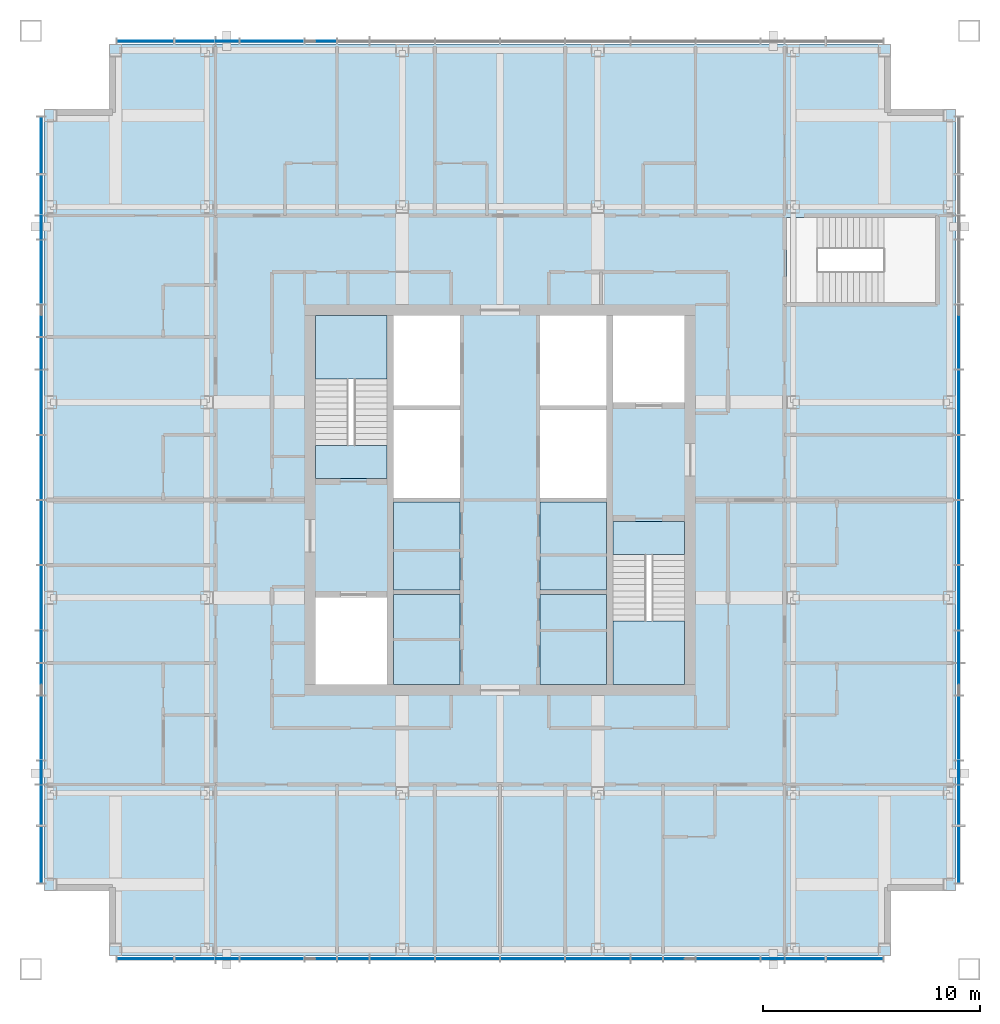
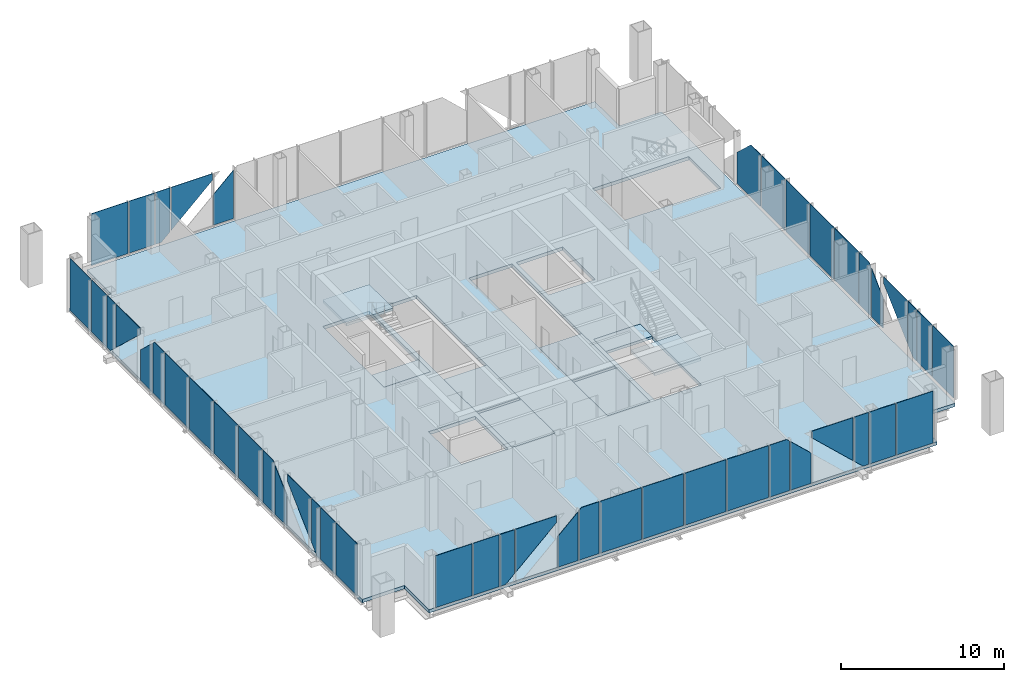
# One storey, part 6 of 14: 48 plates, 9 slabs, 6 elements without a shape of their own.
"""IFC4 building model written with IfcOpenShell, lengths in metres."""

from ifc_helpers import new_model, si_unit, direction, frame, origin, origin_2d, place, context, subcontext, project, spatial, polyline, rectangle, outline, extrude, material, layer, layer_set, type_object, element, aggregate, save


model = new_model("IFC4")

# Units and contexts
model_context = context("Model", 3, precision=1e-05, world=origin(), true_north=direction((0.0, 1.0)))
body_context = subcontext(model_context, "Body", "Model", "MODEL_VIEW")
ifc_project = project(units=[si_unit("LENGTHUNIT", "METRE"), si_unit("AREAUNIT", "SQUARE_METRE"), si_unit("VOLUMEUNIT", "CUBIC_METRE"), si_unit("PLANEANGLEUNIT", "RADIAN"), si_unit("MASSUNIT", "GRAM", prefix="KILO")], contexts=[model_context])

# Site, building, storey
site_placement = place(None, origin())
site = spatial("IfcSite", under=ifc_project, at=site_placement, CompositionType="ELEMENT")
building_placement = place(site_placement, origin())
building = spatial("IfcBuilding", under=site, at=building_placement, Name="Malebo Sky Hospital", CompositionType="ELEMENT")
storey_placement = place(building_placement, frame((0.0, 0.0, 258.0)))
storey = spatial("IfcBuildingStorey", under=building, at=storey_placement, Name="L62", CompositionType="ELEMENT", Elevation=258.0)

# Slabs
ifc_material_1 = material(Name="Concrete C40/50", Category="concrete")
ifc_layer_1 = layer(ifc_material_1, 0.25)
ifc_layer_set_1 = layer_set([ifc_layer_1], Name="COMPOSITE FLOOR SLAB 250")
slab_type_1 = type_object("IfcSlabType", Name="COMPOSITE FLOOR SLAB 250", PredefinedType="FLOOR", material=ifc_layer_set_1)
slab_1_placement = place(storey_placement, frame((0.0, 0.0, -0.25)))
element("IfcSlab", 1, at=slab_1_placement, inside=storey, type_object=slab_type_1, Name="Floor slab L62", PredefinedType="FLOOR", context=body_context, shape_type="SweptSolid", body=[
    extrude(outline(polyline([(42.0, 83.0), (42.0, 80.0), (39.0, 80.0), (39.0, 44.0), (42.0, 44.0), (42.0, 41.0), (78.0, 41.0), (78.0, 44.0), (81.0, 44.0), (81.0, 80.0), (78.0, 80.0), (78.0, 83.0), (42.0, 83.0)]), holes=[polyline([(55.10009765625, 70.5), (58.14990234375, 70.5), (58.14990234375, 53.5), (55.10009765625, 53.5), (55.10009765625, 70.5)]), polyline([(64.89990234375, 70.5), (64.89990234375, 53.5), (61.85009765625, 53.5), (61.85009765625, 70.5), (64.89990234375, 70.5)]), polyline([(54.800048828125, 63.0), (51.5, 63.0), (51.5, 70.5), (54.800048828125, 70.5), (54.800048828125, 63.0)]), polyline([(51.5, 53.5), (51.5, 57.5), (54.800048828125, 57.5), (54.800048828125, 53.5), (51.5, 53.5)]), polyline([(65.199951171875, 61.0), (68.5, 61.0), (68.5, 53.5), (65.199951171875, 53.5), (65.199951171875, 61.0)]), polyline([(68.5, 70.5), (68.5, 66.5), (65.199951171875, 66.5), (65.199951171875, 70.5), (68.5, 70.5)]), polyline([(80.050048828125, 71.10009765625), (73.199951171875, 71.10009765625), (73.199951171875, 75.0), (80.050048828125, 75.0), (80.050048828125, 71.10009765625)])]), origin(), (0.0, 0.0, 1.0), 0.25),
])
ifc_layer_2 = layer(ifc_material_1, 0.25)
ifc_layer_set_2 = layer_set([ifc_layer_2], Name="SHAFT INFILL SLAB 250")
slab_type_2 = type_object("IfcSlabType", Name="SHAFT INFILL SLAB 250", PredefinedType="FLOOR", material=ifc_layer_set_2)
slab_2_placement = place(storey_placement, frame((0.0, 0.0, -0.25)))
element("IfcSlab", 2, at=slab_2_placement, inside=storey, type_object=slab_type_2, Name="Shaft infill slab W1 L62", PredefinedType="FLOOR", context=body_context, shape_type="SweptSolid", body=[
    extrude(outline(polyline([(55.10009765625, 53.5), (58.14990234375, 53.5), (58.14990234375, 57.64990234375), (55.10009765625, 57.64990234375), (55.10009765625, 53.5)])), origin(), (0.0, 0.0, 1.0), 0.25),
])
slab_3_placement = place(storey_placement, frame((0.0, 0.0, -0.25)))
element("IfcSlab", 3, at=slab_3_placement, inside=storey, type_object=slab_type_2, Name="Shaft infill slab W2 L62", PredefinedType="FLOOR", context=body_context, shape_type="SweptSolid", body=[
    extrude(outline(polyline([(55.10009765625, 57.85009765625), (58.14990234375, 57.85009765625), (58.14990234375, 61.89990234375), (55.10009765625, 61.89990234375), (55.10009765625, 57.85009765625)])), origin(), (0.0, 0.0, 1.0), 0.25),
])
slab_4_placement = place(storey_placement, frame((0.0, 0.0, -0.25)))
element("IfcSlab", 4, at=slab_4_placement, inside=storey, type_object=slab_type_2, Name="Shaft infill slab E1 L62", PredefinedType="FLOOR", context=body_context, shape_type="SweptSolid", body=[
    extrude(outline(polyline([(61.85009765625, 53.5), (64.89990234375, 53.5), (64.89990234375, 57.64990234375), (61.85009765625, 57.64990234375), (61.85009765625, 53.5)])), origin(), (0.0, 0.0, 1.0), 0.25),
])
slab_5_placement = place(storey_placement, frame((0.0, 0.0, -0.25)))
element("IfcSlab", 5, at=slab_5_placement, inside=storey, type_object=slab_type_2, Name="Shaft infill slab E2 L62", PredefinedType="FLOOR", context=body_context, shape_type="SweptSolid", body=[
    extrude(outline(polyline([(61.85009765625, 57.85009765625), (64.89990234375, 57.85009765625), (64.89990234375, 61.89990234375), (61.85009765625, 61.89990234375), (61.85009765625, 57.85009765625)])), origin(), (0.0, 0.0, 1.0), 0.25),
])

# Stair, slabs
stair_type = type_object("IfcStairType", Name="HALF-TURN STAIR 1500 R167", PredefinedType="HALF_TURN_STAIR", material=ifc_material_1)
stair_1_placement = place(storey_placement, origin())
stair_1 = element("IfcStair", 6, at=stair_1_placement, inside=storey, type_object=stair_type, Name="Stair S1 L62 type ST1", PredefinedType="HALF_TURN_STAIR")
ifc_layer_3 = layer(ifc_material_1, 0.199951171875)
ifc_layer_set_3 = layer_set([ifc_layer_3], Name="STAIR LANDING 200")
slab_type_3 = type_object("IfcSlabType", Name="STAIR LANDING 200", PredefinedType="LANDING", material=ifc_layer_set_3)
slab_6_placement = place(storey_placement, frame((0.0, 0.0, -0.199951171875)))
slab_6 = element("IfcSlab", 7, at=slab_6_placement, type_object=slab_type_3, Name="S1 landing 1", PredefinedType="LANDING", context=body_context, shape_type="SweptSolid", body=[
    extrude(outline(polyline([(51.5, 63.0), (54.800048828125, 63.0), (54.800048828125, 64.5), (51.5, 64.5), (51.5, 63.0)])), origin(), (0.0, 0.0, 1.0), 0.199951171875),
])
slab_7_placement = place(storey_placement, frame((0.0, 0.0, 1.800048828125)))
slab_7 = element("IfcSlab", 8, at=slab_7_placement, type_object=slab_type_3, Name="S1 landing 2", PredefinedType="LANDING", context=body_context, shape_type="SweptSolid", body=[
    extrude(outline(polyline([(51.5, 67.580078125), (54.800048828125, 67.580078125), (54.800048828125, 70.5), (51.5, 70.5), (51.5, 67.580078125)])), origin(), (0.0, 0.0, 1.0), 0.199951171875),
])
aggregate(stair_1, [slab_6, slab_7])

stair_2_placement = place(storey_placement, origin())
stair_2 = element("IfcStair", 9, at=stair_2_placement, inside=storey, type_object=stair_type, Name="Stair S2 L62 type ST1", PredefinedType="HALF_TURN_STAIR")
slab_8_placement = place(storey_placement, frame((0.0, 0.0, -0.199951171875)))
slab_8 = element("IfcSlab", 10, at=slab_8_placement, type_object=slab_type_3, Name="S2 landing 1", PredefinedType="LANDING", context=body_context, shape_type="SweptSolid", body=[
    extrude(outline(polyline([(65.199951171875, 59.5), (68.5, 59.5), (68.5, 61.0), (65.199951171875, 61.0), (65.199951171875, 59.5)])), origin(), (0.0, 0.0, 1.0), 0.199951171875),
])
slab_9_placement = place(storey_placement, frame((0.0, 0.0, 1.800048828125)))
slab_9 = element("IfcSlab", 11, at=slab_9_placement, type_object=slab_type_3, Name="S2 landing 2", PredefinedType="LANDING", context=body_context, shape_type="SweptSolid", body=[
    extrude(outline(polyline([(65.199951171875, 53.5), (68.5, 53.5), (68.5, 56.419921875), (65.199951171875, 56.419921875), (65.199951171875, 53.5)])), origin(), (0.0, 0.0, 1.0), 0.199951171875),
])
aggregate(stair_2, [slab_8, slab_9])

# Curtain wall, plates
ifc_material_2 = material(Name="Anodised aluminium, natural silver", Category="aluminium")
ifc_layer_4 = layer(ifc_material_2, 0.25)
ifc_layer_set_4 = layer_set([ifc_layer_4], Name="WARD CURTAIN WALL NORTH AND SOUTH")
curtain_wall_type_1 = type_object("IfcCurtainWallType", Name="WARD CURTAIN WALL NORTH AND SOUTH", PredefinedType="NOTDEFINED", material=ifc_layer_set_4)
curtain_wall_1_placement = place(storey_placement, origin())
curtain_wall_1 = element("IfcCurtainWall", 12, at=curtain_wall_1_placement, inside=storey, type_object=curtain_wall_type_1, Name="NS curtain wall N", PredefinedType="NOTDEFINED")
ifc_material_3 = material(Name="Clear low-iron double glazing", Category="glass")
ifc_layer_5 = layer(ifc_material_3, 0.031982421875)
ifc_layer_set_5 = layer_set([ifc_layer_5], Name="VISION PANEL CLEAR 32")
plate_type = type_object("IfcPlateType", Name="VISION PANEL CLEAR 32", PredefinedType="CURTAIN_PANEL", material=ifc_layer_set_5)
plate_1_placement = place(storey_placement, frame((43.668701171875, 83.125, 0.10009765625), z_axis=(0.0, 0.0, 1.0), x_axis=(1.0, 0.0, 0.0)))
plate_1 = element("IfcPlate", 13, at=plate_1_placement, type_object=plate_type, Name="Panel 1", PredefinedType="CURTAIN_PANEL", context=body_context, shape_type="SweptSolid", body=[
    extrude(rectangle(XDim=2.58740234375, YDim=0.031982421875, at=origin_2d()), origin(), (0.0, 0.0, 1.0), 3.889892578125),
])
plate_2_placement = place(storey_placement, frame((45.949951171875, 83.125, 0.10009765625), z_axis=(0.0, 0.0, 1.0), x_axis=(1.0, 0.0, 0.0)))
plate_2 = element("IfcPlate", 14, at=plate_2_placement, type_object=plate_type, Name="Panel 2", PredefinedType="CURTAIN_PANEL", context=body_context, shape_type="SweptSolid", body=[
    extrude(rectangle(XDim=1.824951171875, YDim=0.031982421875, at=origin_2d()), origin(), (0.0, 0.0, 1.0), 3.889892578125),
])
plate_3_placement = place(storey_placement, frame((47.449951171875, 83.125, 0.10009765625), z_axis=(0.0, 0.0, 1.0), x_axis=(1.0, 0.0, 0.0)))
plate_3 = element("IfcPlate", 15, at=plate_3_placement, type_object=plate_type, Name="Panel 3", PredefinedType="CURTAIN_PANEL", context=body_context, shape_type="SweptSolid", body=[
    extrude(outline(polyline([(-0.512451171875, 0.0), (-0.114013671875, 0.0), (0.512451171875, 0.586669921875), (0.512451171875, 3.889892578125), (-0.512451171875, 3.889892578125), (-0.512451171875, 0.0)])), frame((0.0, 0.01611328125, 0.0), z_axis=(0.0, -1.0, 0.0), x_axis=(1.0, 0.0, 0.0)), (0.0, 0.0, 1.0), 0.031982421875),
])
plate_4_placement = place(storey_placement, frame((49.5, 83.125, 0.7568359375), z_axis=(0.0, 0.0, 1.0), x_axis=(1.0, 0.0, 0.0)))
plate_4 = element("IfcPlate", 16, at=plate_4_placement, type_object=plate_type, Name="Panel 4", PredefinedType="CURTAIN_PANEL", context=body_context, shape_type="SweptSolid", body=[
    extrude(outline(polyline([(-1.46240234375, 0.0), (1.46240234375, 2.73876953125), (1.46240234375, 3.233154296875), (-1.46240234375, 3.233154296875), (-1.46240234375, 0.0)])), frame((0.0, 0.01611328125, 0.0), z_axis=(0.0, -1.0, 0.0), x_axis=(1.0, 0.0, 0.0)), (0.0, 0.0, 1.0), 0.031982421875),
])
plate_5_placement = place(storey_placement, frame((51.75, 83.125, 0.10009765625), z_axis=(0.0, 0.0, 1.0), x_axis=(1.0, 0.0, 0.0)))
plate_5 = element("IfcPlate", 17, at=plate_5_placement, type_object=plate_type, Name="Panel 5", PredefinedType="CURTAIN_PANEL", context=body_context, shape_type="SweptSolid", body=[
    extrude(outline(polyline([(-0.71240234375, 0.0), (0.71240234375, 0.0), (0.71240234375, 3.634521484375), (-0.71240234375, 2.300048828125), (-0.71240234375, 0.0)])), frame((0.0, 0.01611328125, 0.0), z_axis=(0.0, -1.0, 0.0), x_axis=(1.0, 0.0, 0.0)), (0.0, 0.0, 1.0), 0.031982421875),
])
aggregate(curtain_wall_1, [plate_1, plate_2, plate_3, plate_4, plate_5])

ifc_layer_6 = layer(ifc_material_2, 0.25)
ifc_layer_set_6 = layer_set([ifc_layer_6], Name="WARD CURTAIN WALL EAST AND WEST")
curtain_wall_type_2 = type_object("IfcCurtainWallType", Name="WARD CURTAIN WALL EAST AND WEST", PredefinedType="NOTDEFINED", material=ifc_layer_set_6)
curtain_wall_2_placement = place(storey_placement, origin())
curtain_wall_2 = element("IfcCurtainWall", 18, at=curtain_wall_2_placement, inside=storey, type_object=curtain_wall_type_2, Name="EW curtain wall W", PredefinedType="NOTDEFINED")
plate_6_placement = place(storey_placement, frame((38.875, 45.668701171875, 0.10009765625), z_axis=(0.0, 0.0, 1.0), x_axis=(0.0, 1.0, 0.0)))
plate_6 = element("IfcPlate", 19, at=plate_6_placement, type_object=plate_type, Name="Panel 1", PredefinedType="CURTAIN_PANEL", context=body_context, shape_type="SweptSolid", body=[
    extrude(rectangle(XDim=2.58740234375, YDim=0.031982421875, at=origin_2d()), origin(), (0.0, 0.0, 1.0), 3.889892578125),
])
plate_7_placement = place(storey_placement, frame((38.875, 47.949951171875, 0.10009765625), z_axis=(0.0, 0.0, 1.0), x_axis=(0.0, 1.0, 0.0)))
plate_7 = element("IfcPlate", 20, at=plate_7_placement, type_object=plate_type, Name="Panel 2", PredefinedType="CURTAIN_PANEL", context=body_context, shape_type="SweptSolid", body=[
    extrude(rectangle(XDim=1.824951171875, YDim=0.031982421875, at=origin_2d()), origin(), (0.0, 0.0, 1.0), 3.889892578125),
])
plate_8_placement = place(storey_placement, frame((38.875, 49.449951171875, 0.10009765625), z_axis=(0.0, 0.0, 1.0), x_axis=(0.0, 1.0, 0.0)))
plate_8 = element("IfcPlate", 21, at=plate_8_placement, type_object=plate_type, Name="Panel 3", PredefinedType="CURTAIN_PANEL", context=body_context, shape_type="SweptSolid", body=[
    extrude(outline(polyline([(-0.512451171875, 0.0), (-0.114013671875, 0.0), (0.512451171875, 0.586669921875), (0.512451171875, 3.889892578125), (-0.512451171875, 3.889892578125), (-0.512451171875, 0.0)])), frame((0.0, 0.01611328125, 0.0), z_axis=(0.0, -1.0, 0.0), x_axis=(1.0, 0.0, 0.0)), (0.0, 0.0, 1.0), 0.031982421875),
])
plate_9_placement = place(storey_placement, frame((38.875, 51.5, 0.7568359375), z_axis=(0.0, 0.0, 1.0), x_axis=(0.0, 1.0, 0.0)))
plate_9 = element("IfcPlate", 22, at=plate_9_placement, type_object=plate_type, Name="Panel 4", PredefinedType="CURTAIN_PANEL", context=body_context, shape_type="SweptSolid", body=[
    extrude(outline(polyline([(-1.46240234375, 0.0), (1.46240234375, 2.73876953125), (1.46240234375, 3.233154296875), (-1.46240234375, 3.233154296875), (-1.46240234375, 0.0)])), frame((0.0, 0.01611328125, 0.0), z_axis=(0.0, -1.0, 0.0), x_axis=(1.0, 0.0, 0.0)), (0.0, 0.0, 1.0), 0.031982421875),
])
plate_10_placement = place(storey_placement, frame((38.875, 53.75, 0.10009765625), z_axis=(0.0, 0.0, 1.0), x_axis=(0.0, 1.0, 0.0)))
plate_10 = element("IfcPlate", 23, at=plate_10_placement, type_object=plate_type, Name="Panel 5", PredefinedType="CURTAIN_PANEL", context=body_context, shape_type="SweptSolid", body=[
    extrude(outline(polyline([(-0.71240234375, 0.0), (0.71240234375, 0.0), (0.71240234375, 3.634521484375), (-0.71240234375, 2.300048828125), (-0.71240234375, 0.0)])), frame((0.0, 0.01611328125, 0.0), z_axis=(0.0, -1.0, 0.0), x_axis=(1.0, 0.0, 0.0)), (0.0, 0.0, 1.0), 0.031982421875),
])
plate_11_placement = place(storey_placement, frame((38.875, 55.25, 0.10009765625), z_axis=(0.0, 0.0, 1.0), x_axis=(0.0, 1.0, 0.0)))
plate_11 = element("IfcPlate", 24, at=plate_11_placement, type_object=plate_type, Name="Panel 6", PredefinedType="CURTAIN_PANEL", context=body_context, shape_type="SweptSolid", body=[
    extrude(outline(polyline([(-0.71240234375, 0.0), (0.71240234375, 0.0), (0.71240234375, 3.889892578125), (-0.514404296875, 3.889892578125), (-0.71240234375, 3.70458984375), (-0.71240234375, 0.0)])), frame((0.0, 0.01611328125, 0.0), z_axis=(0.0, -1.0, 0.0), x_axis=(1.0, 0.0, 0.0)), (0.0, 0.0, 1.0), 0.031982421875),
])
plate_12_placement = place(storey_placement, frame((38.875, 57.5, 0.10009765625), z_axis=(0.0, 0.0, 1.0), x_axis=(0.0, 1.0, 0.0)))
plate_12 = element("IfcPlate", 25, at=plate_12_placement, type_object=plate_type, Name="Panel 7", PredefinedType="CURTAIN_PANEL", context=body_context, shape_type="SweptSolid", body=[
    extrude(rectangle(XDim=2.925048828125, YDim=0.031982421875, at=origin_2d()), origin(), (0.0, 0.0, 1.0), 3.889892578125),
])
plate_13_placement = place(storey_placement, frame((38.875, 60.5, 0.10009765625), z_axis=(0.0, 0.0, 1.0), x_axis=(0.0, 1.0, 0.0)))
plate_13 = element("IfcPlate", 26, at=plate_13_placement, type_object=plate_type, Name="Panel 8", PredefinedType="CURTAIN_PANEL", context=body_context, shape_type="SweptSolid", body=[
    extrude(rectangle(XDim=2.925048828125, YDim=0.031982421875, at=origin_2d()), origin(), (0.0, 0.0, 1.0), 3.889892578125),
])
plate_14_placement = place(storey_placement, frame((38.875, 63.5, 0.10009765625), z_axis=(0.0, 0.0, 1.0), x_axis=(0.0, 1.0, 0.0)))
plate_14 = element("IfcPlate", 27, at=plate_14_placement, type_object=plate_type, Name="Panel 9", PredefinedType="CURTAIN_PANEL", context=body_context, shape_type="SweptSolid", body=[
    extrude(rectangle(XDim=2.925048828125, YDim=0.031982421875, at=origin_2d()), origin(), (0.0, 0.0, 1.0), 3.889892578125),
])
plate_15_placement = place(storey_placement, frame((38.875, 66.5, 0.10009765625), z_axis=(0.0, 0.0, 1.0), x_axis=(0.0, 1.0, 0.0)))
plate_15 = element("IfcPlate", 28, at=plate_15_placement, type_object=plate_type, Name="Panel 10", PredefinedType="CURTAIN_PANEL", context=body_context, shape_type="SweptSolid", body=[
    extrude(rectangle(XDim=2.925048828125, YDim=0.031982421875, at=origin_2d()), origin(), (0.0, 0.0, 1.0), 3.889892578125),
])
plate_16_placement = place(storey_placement, frame((38.875, 68.75, 0.10009765625), z_axis=(0.0, 0.0, 1.0), x_axis=(0.0, 1.0, 0.0)))
plate_16 = element("IfcPlate", 29, at=plate_16_placement, type_object=plate_type, Name="Panel 11", PredefinedType="CURTAIN_PANEL", context=body_context, shape_type="SweptSolid", body=[
    extrude(outline(polyline([(-0.71240234375, 0.0), (0.71240234375, 0.0), (0.71240234375, 3.70458984375), (0.514404296875, 3.889892578125), (-0.71240234375, 3.889892578125), (-0.71240234375, 0.0)])), frame((0.0, 0.01611328125, 0.0), z_axis=(0.0, -1.0, 0.0), x_axis=(1.0, 0.0, 0.0)), (0.0, 0.0, 1.0), 0.031982421875),
])
plate_17_placement = place(storey_placement, frame((38.875, 70.25, 0.10009765625), z_axis=(0.0, 0.0, 1.0), x_axis=(0.0, 1.0, 0.0)))
plate_17 = element("IfcPlate", 30, at=plate_17_placement, type_object=plate_type, Name="Panel 12", PredefinedType="CURTAIN_PANEL", context=body_context, shape_type="SweptSolid", body=[
    extrude(outline(polyline([(-0.71240234375, 0.0), (0.71240234375, 0.0), (0.71240234375, 2.300048828125), (-0.71240234375, 3.634521484375), (-0.71240234375, 0.0)])), frame((0.0, 0.01611328125, 0.0), z_axis=(0.0, -1.0, 0.0), x_axis=(1.0, 0.0, 0.0)), (0.0, 0.0, 1.0), 0.031982421875),
])
plate_18_placement = place(storey_placement, frame((38.875, 72.5, 0.7568359375), z_axis=(0.0, 0.0, 1.0), x_axis=(0.0, 1.0, 0.0)))
plate_18 = element("IfcPlate", 31, at=plate_18_placement, type_object=plate_type, Name="Panel 13", PredefinedType="CURTAIN_PANEL", context=body_context, shape_type="SweptSolid", body=[
    extrude(outline(polyline([(1.46240234375, 0.0), (1.46240234375, 3.233154296875), (-1.46240234375, 3.233154296875), (-1.46240234375, 2.73876953125), (1.46240234375, 0.0)])), frame((0.0, 0.01611328125, 0.0), z_axis=(0.0, -1.0, 0.0), x_axis=(1.0, 0.0, 0.0)), (0.0, 0.0, 1.0), 0.031982421875),
])
plate_19_placement = place(storey_placement, frame((38.875, 74.550048828125, 0.10009765625), z_axis=(0.0, 0.0, 1.0), x_axis=(0.0, 1.0, 0.0)))
plate_19 = element("IfcPlate", 32, at=plate_19_placement, type_object=plate_type, Name="Panel 14", PredefinedType="CURTAIN_PANEL", context=body_context, shape_type="SweptSolid", body=[
    extrude(outline(polyline([(0.114013671875, 0.0), (0.512451171875, 0.0), (0.512451171875, 3.889892578125), (-0.512451171875, 3.889892578125), (-0.512451171875, 0.586669921875), (0.114013671875, 0.0)])), frame((0.0, 0.01611328125, 0.0), z_axis=(0.0, -1.0, 0.0), x_axis=(1.0, 0.0, 0.0)), (0.0, 0.0, 1.0), 0.031982421875),
])
plate_20_placement = place(storey_placement, frame((38.875, 76.050048828125, 0.10009765625), z_axis=(0.0, 0.0, 1.0), x_axis=(0.0, 1.0, 0.0)))
plate_20 = element("IfcPlate", 33, at=plate_20_placement, type_object=plate_type, Name="Panel 15", PredefinedType="CURTAIN_PANEL", context=body_context, shape_type="SweptSolid", body=[
    extrude(rectangle(XDim=1.824951171875, YDim=0.031982421875, at=origin_2d()), origin(), (0.0, 0.0, 1.0), 3.889892578125),
])
plate_21_placement = place(storey_placement, frame((38.875, 78.331298828125, 0.10009765625), z_axis=(0.0, 0.0, 1.0), x_axis=(0.0, 1.0, 0.0)))
plate_21 = element("IfcPlate", 34, at=plate_21_placement, type_object=plate_type, Name="Panel 16", PredefinedType="CURTAIN_PANEL", context=body_context, shape_type="SweptSolid", body=[
    extrude(rectangle(XDim=2.58740234375, YDim=0.031982421875, at=origin_2d()), origin(), (0.0, 0.0, 1.0), 3.889892578125),
])
aggregate(curtain_wall_2, [plate_6, plate_7, plate_8, plate_9, plate_10, plate_11, plate_12, plate_13, plate_14, plate_15, plate_16, plate_17, plate_18, plate_19, plate_20, plate_21])

curtain_wall_3_placement = place(storey_placement, origin())
curtain_wall_3 = element("IfcCurtainWall", 35, at=curtain_wall_3_placement, inside=storey, type_object=curtain_wall_type_1, Name="NS curtain wall S", PredefinedType="NOTDEFINED")
plate_22_placement = place(storey_placement, frame((76.331298828125, 40.875, 0.10009765625), z_axis=(0.0, 0.0, 1.0), x_axis=(-1.0, 0.0, 0.0)))
plate_22 = element("IfcPlate", 36, at=plate_22_placement, type_object=plate_type, Name="Panel 1", PredefinedType="CURTAIN_PANEL", context=body_context, shape_type="SweptSolid", body=[
    extrude(rectangle(XDim=2.58740234375, YDim=0.031982421875, at=origin_2d()), origin(), (0.0, 0.0, 1.0), 3.889892578125),
])
plate_23_placement = place(storey_placement, frame((74.050048828125, 40.875, 0.10009765625), z_axis=(0.0, 0.0, 1.0), x_axis=(-1.0, 0.0, 0.0)))
plate_23 = element("IfcPlate", 37, at=plate_23_placement, type_object=plate_type, Name="Panel 2", PredefinedType="CURTAIN_PANEL", context=body_context, shape_type="SweptSolid", body=[
    extrude(rectangle(XDim=1.824951171875, YDim=0.031982421875, at=origin_2d()), origin(), (0.0, 0.0, 1.0), 3.889892578125),
])
plate_24_placement = place(storey_placement, frame((72.550048828125, 40.875, 0.10009765625), z_axis=(0.0, 0.0, 1.0), x_axis=(-1.0, 0.0, 0.0)))
plate_24 = element("IfcPlate", 38, at=plate_24_placement, type_object=plate_type, Name="Panel 3", PredefinedType="CURTAIN_PANEL", context=body_context, shape_type="SweptSolid", body=[
    extrude(outline(polyline([(-0.512451171875, 0.0), (-0.114013671875, 0.0), (0.512451171875, 0.586669921875), (0.512451171875, 3.889892578125), (-0.512451171875, 3.889892578125), (-0.512451171875, 0.0)])), frame((0.0, 0.01611328125, 0.0), z_axis=(0.0, -1.0, 0.0), x_axis=(1.0, 0.0, 0.0)), (0.0, 0.0, 1.0), 0.031982421875),
])
plate_25_placement = place(storey_placement, frame((70.5, 40.875, 0.7568359375), z_axis=(0.0, 0.0, 1.0), x_axis=(-1.0, 0.0, 0.0)))
plate_25 = element("IfcPlate", 39, at=plate_25_placement, type_object=plate_type, Name="Panel 4", PredefinedType="CURTAIN_PANEL", context=body_context, shape_type="SweptSolid", body=[
    extrude(outline(polyline([(-1.46240234375, 0.0), (1.46240234375, 2.73876953125), (1.46240234375, 3.233154296875), (-1.46240234375, 3.233154296875), (-1.46240234375, 0.0)])), frame((0.0, 0.01611328125, 0.0), z_axis=(0.0, -1.0, 0.0), x_axis=(1.0, 0.0, 0.0)), (0.0, 0.0, 1.0), 0.031982421875),
])
plate_26_placement = place(storey_placement, frame((68.25, 40.875, 0.10009765625), z_axis=(0.0, 0.0, 1.0), x_axis=(-1.0, 0.0, 0.0)))
plate_26 = element("IfcPlate", 40, at=plate_26_placement, type_object=plate_type, Name="Panel 5", PredefinedType="CURTAIN_PANEL", context=body_context, shape_type="SweptSolid", body=[
    extrude(outline(polyline([(-0.71240234375, 0.0), (0.71240234375, 0.0), (0.71240234375, 3.634521484375), (-0.71240234375, 2.300048828125), (-0.71240234375, 0.0)])), frame((0.0, 0.01611328125, 0.0), z_axis=(0.0, -1.0, 0.0), x_axis=(1.0, 0.0, 0.0)), (0.0, 0.0, 1.0), 0.031982421875),
])
plate_27_placement = place(storey_placement, frame((66.75, 40.875, 0.10009765625), z_axis=(0.0, 0.0, 1.0), x_axis=(-1.0, 0.0, 0.0)))
plate_27 = element("IfcPlate", 41, at=plate_27_placement, type_object=plate_type, Name="Panel 6", PredefinedType="CURTAIN_PANEL", context=body_context, shape_type="SweptSolid", body=[
    extrude(outline(polyline([(-0.71240234375, 0.0), (0.71240234375, 0.0), (0.71240234375, 3.889892578125), (-0.514404296875, 3.889892578125), (-0.71240234375, 3.70458984375), (-0.71240234375, 0.0)])), frame((0.0, 0.01611328125, 0.0), z_axis=(0.0, -1.0, 0.0), x_axis=(1.0, 0.0, 0.0)), (0.0, 0.0, 1.0), 0.031982421875),
])
plate_28_placement = place(storey_placement, frame((64.5, 40.875, 0.10009765625), z_axis=(0.0, 0.0, 1.0), x_axis=(-1.0, 0.0, 0.0)))
plate_28 = element("IfcPlate", 42, at=plate_28_placement, type_object=plate_type, Name="Panel 7", PredefinedType="CURTAIN_PANEL", context=body_context, shape_type="SweptSolid", body=[
    extrude(rectangle(XDim=2.925048828125, YDim=0.031982421875, at=origin_2d()), origin(), (0.0, 0.0, 1.0), 3.889892578125),
])
plate_29_placement = place(storey_placement, frame((61.5, 40.875, 0.10009765625), z_axis=(0.0, 0.0, 1.0), x_axis=(-1.0, 0.0, 0.0)))
plate_29 = element("IfcPlate", 43, at=plate_29_placement, type_object=plate_type, Name="Panel 8", PredefinedType="CURTAIN_PANEL", context=body_context, shape_type="SweptSolid", body=[
    extrude(rectangle(XDim=2.925048828125, YDim=0.031982421875, at=origin_2d()), origin(), (0.0, 0.0, 1.0), 3.889892578125),
])
plate_30_placement = place(storey_placement, frame((58.5, 40.875, 0.10009765625), z_axis=(0.0, 0.0, 1.0), x_axis=(-1.0, 0.0, 0.0)))
plate_30 = element("IfcPlate", 44, at=plate_30_placement, type_object=plate_type, Name="Panel 9", PredefinedType="CURTAIN_PANEL", context=body_context, shape_type="SweptSolid", body=[
    extrude(rectangle(XDim=2.925048828125, YDim=0.031982421875, at=origin_2d()), origin(), (0.0, 0.0, 1.0), 3.889892578125),
])
plate_31_placement = place(storey_placement, frame((55.5, 40.875, 0.10009765625), z_axis=(0.0, 0.0, 1.0), x_axis=(-1.0, 0.0, 0.0)))
plate_31 = element("IfcPlate", 45, at=plate_31_placement, type_object=plate_type, Name="Panel 10", PredefinedType="CURTAIN_PANEL", context=body_context, shape_type="SweptSolid", body=[
    extrude(rectangle(XDim=2.925048828125, YDim=0.031982421875, at=origin_2d()), origin(), (0.0, 0.0, 1.0), 3.889892578125),
])
plate_32_placement = place(storey_placement, frame((53.25, 40.875, 0.10009765625), z_axis=(0.0, 0.0, 1.0), x_axis=(-1.0, 0.0, 0.0)))
plate_32 = element("IfcPlate", 46, at=plate_32_placement, type_object=plate_type, Name="Panel 11", PredefinedType="CURTAIN_PANEL", context=body_context, shape_type="SweptSolid", body=[
    extrude(outline(polyline([(-0.71240234375, 0.0), (0.71240234375, 0.0), (0.71240234375, 3.70458984375), (0.514404296875, 3.889892578125), (-0.71240234375, 3.889892578125), (-0.71240234375, 0.0)])), frame((0.0, 0.01611328125, 0.0), z_axis=(0.0, -1.0, 0.0), x_axis=(1.0, 0.0, 0.0)), (0.0, 0.0, 1.0), 0.031982421875),
])
plate_33_placement = place(storey_placement, frame((51.75, 40.875, 0.10009765625), z_axis=(0.0, 0.0, 1.0), x_axis=(-1.0, 0.0, 0.0)))
plate_33 = element("IfcPlate", 47, at=plate_33_placement, type_object=plate_type, Name="Panel 12", PredefinedType="CURTAIN_PANEL", context=body_context, shape_type="SweptSolid", body=[
    extrude(outline(polyline([(-0.71240234375, 0.0), (0.71240234375, 0.0), (0.71240234375, 2.300048828125), (-0.71240234375, 3.634521484375), (-0.71240234375, 0.0)])), frame((0.0, 0.01611328125, 0.0), z_axis=(0.0, -1.0, 0.0), x_axis=(1.0, 0.0, 0.0)), (0.0, 0.0, 1.0), 0.031982421875),
])
plate_34_placement = place(storey_placement, frame((49.5, 40.875, 0.7568359375), z_axis=(0.0, 0.0, 1.0), x_axis=(-1.0, 0.0, 0.0)))
plate_34 = element("IfcPlate", 48, at=plate_34_placement, type_object=plate_type, Name="Panel 13", PredefinedType="CURTAIN_PANEL", context=body_context, shape_type="SweptSolid", body=[
    extrude(outline(polyline([(1.46240234375, 0.0), (1.46240234375, 3.233154296875), (-1.46240234375, 3.233154296875), (-1.46240234375, 2.73876953125), (1.46240234375, 0.0)])), frame((0.0, 0.01611328125, 0.0), z_axis=(0.0, -1.0, 0.0), x_axis=(1.0, 0.0, 0.0)), (0.0, 0.0, 1.0), 0.031982421875),
])
plate_35_placement = place(storey_placement, frame((47.449951171875, 40.875, 0.10009765625), z_axis=(0.0, 0.0, 1.0), x_axis=(-1.0, 0.0, 0.0)))
plate_35 = element("IfcPlate", 49, at=plate_35_placement, type_object=plate_type, Name="Panel 14", PredefinedType="CURTAIN_PANEL", context=body_context, shape_type="SweptSolid", body=[
    extrude(outline(polyline([(0.114013671875, 0.0), (0.512451171875, 0.0), (0.512451171875, 3.889892578125), (-0.512451171875, 3.889892578125), (-0.512451171875, 0.586669921875), (0.114013671875, 0.0)])), frame((0.0, 0.01611328125, 0.0), z_axis=(0.0, -1.0, 0.0), x_axis=(1.0, 0.0, 0.0)), (0.0, 0.0, 1.0), 0.031982421875),
])
plate_36_placement = place(storey_placement, frame((45.949951171875, 40.875, 0.10009765625), z_axis=(0.0, 0.0, 1.0), x_axis=(-1.0, 0.0, 0.0)))
plate_36 = element("IfcPlate", 50, at=plate_36_placement, type_object=plate_type, Name="Panel 15", PredefinedType="CURTAIN_PANEL", context=body_context, shape_type="SweptSolid", body=[
    extrude(rectangle(XDim=1.824951171875, YDim=0.031982421875, at=origin_2d()), origin(), (0.0, 0.0, 1.0), 3.889892578125),
])
plate_37_placement = place(storey_placement, frame((43.668701171875, 40.875, 0.10009765625), z_axis=(0.0, 0.0, 1.0), x_axis=(-1.0, 0.0, 0.0)))
plate_37 = element("IfcPlate", 51, at=plate_37_placement, type_object=plate_type, Name="Panel 16", PredefinedType="CURTAIN_PANEL", context=body_context, shape_type="SweptSolid", body=[
    extrude(rectangle(XDim=2.58740234375, YDim=0.031982421875, at=origin_2d()), origin(), (0.0, 0.0, 1.0), 3.889892578125),
])
aggregate(curtain_wall_3, [plate_22, plate_23, plate_24, plate_25, plate_26, plate_27, plate_28, plate_29, plate_30, plate_31, plate_32, plate_33, plate_34, plate_35, plate_36, plate_37])

curtain_wall_4_placement = place(storey_placement, origin())
curtain_wall_4 = element("IfcCurtainWall", 52, at=curtain_wall_4_placement, inside=storey, type_object=curtain_wall_type_2, Name="EW curtain wall E", PredefinedType="NOTDEFINED")
plate_38_placement = place(storey_placement, frame((81.125, 69.5, 0.10009765625), z_axis=(0.0, 0.0, 1.0), x_axis=(0.0, -1.0, 0.0)))
plate_38 = element("IfcPlate", 53, at=plate_38_placement, type_object=plate_type, Name="Panel 5", PredefinedType="CURTAIN_PANEL", context=body_context, shape_type="SweptSolid", body=[
    extrude(outline(polyline([(-1.46240234375, 0.0), (1.46240234375, 0.0), (1.46240234375, 3.889892578125), (0.235595703125, 3.889892578125), (-1.46240234375, 2.300048828125), (-1.46240234375, 0.0)])), frame((0.0, 0.01611328125, 0.0), z_axis=(0.0, -1.0, 0.0), x_axis=(1.0, 0.0, 0.0)), (0.0, 0.0, 1.0), 0.031982421875),
])
plate_39_placement = place(storey_placement, frame((81.125, 66.5, 0.10009765625), z_axis=(0.0, 0.0, 1.0), x_axis=(0.0, -1.0, 0.0)))
plate_39 = element("IfcPlate", 54, at=plate_39_placement, type_object=plate_type, Name="Panel 6", PredefinedType="CURTAIN_PANEL", context=body_context, shape_type="SweptSolid", body=[
    extrude(rectangle(XDim=2.925048828125, YDim=0.031982421875, at=origin_2d()), origin(), (0.0, 0.0, 1.0), 3.889892578125),
])
plate_40_placement = place(storey_placement, frame((81.125, 63.5, 0.10009765625), z_axis=(0.0, 0.0, 1.0), x_axis=(0.0, -1.0, 0.0)))
plate_40 = element("IfcPlate", 55, at=plate_40_placement, type_object=plate_type, Name="Panel 7", PredefinedType="CURTAIN_PANEL", context=body_context, shape_type="SweptSolid", body=[
    extrude(rectangle(XDim=2.925048828125, YDim=0.031982421875, at=origin_2d()), origin(), (0.0, 0.0, 1.0), 3.889892578125),
])
plate_41_placement = place(storey_placement, frame((81.125, 60.5, 0.10009765625), z_axis=(0.0, 0.0, 1.0), x_axis=(0.0, -1.0, 0.0)))
plate_41 = element("IfcPlate", 56, at=plate_41_placement, type_object=plate_type, Name="Panel 8", PredefinedType="CURTAIN_PANEL", context=body_context, shape_type="SweptSolid", body=[
    extrude(rectangle(XDim=2.925048828125, YDim=0.031982421875, at=origin_2d()), origin(), (0.0, 0.0, 1.0), 3.889892578125),
])
plate_42_placement = place(storey_placement, frame((81.125, 57.5, 0.10009765625), z_axis=(0.0, 0.0, 1.0), x_axis=(0.0, -1.0, 0.0)))
plate_42 = element("IfcPlate", 57, at=plate_42_placement, type_object=plate_type, Name="Panel 9", PredefinedType="CURTAIN_PANEL", context=body_context, shape_type="SweptSolid", body=[
    extrude(rectangle(XDim=2.925048828125, YDim=0.031982421875, at=origin_2d()), origin(), (0.0, 0.0, 1.0), 3.889892578125),
])
plate_43_placement = place(storey_placement, frame((81.125, 55.25, 0.10009765625), z_axis=(0.0, 0.0, 1.0), x_axis=(0.0, -1.0, 0.0)))
plate_43 = element("IfcPlate", 58, at=plate_43_placement, type_object=plate_type, Name="Panel 10", PredefinedType="CURTAIN_PANEL", context=body_context, shape_type="SweptSolid", body=[
    extrude(outline(polyline([(-0.71240234375, 0.0), (0.71240234375, 0.0), (0.71240234375, 3.70458984375), (0.514404296875, 3.889892578125), (-0.71240234375, 3.889892578125), (-0.71240234375, 0.0)])), frame((0.0, 0.01611328125, 0.0), z_axis=(0.0, -1.0, 0.0), x_axis=(1.0, 0.0, 0.0)), (0.0, 0.0, 1.0), 0.031982421875),
])
plate_44_placement = place(storey_placement, frame((81.125, 53.75, 0.10009765625), z_axis=(0.0, 0.0, 1.0), x_axis=(0.0, -1.0, 0.0)))
plate_44 = element("IfcPlate", 59, at=plate_44_placement, type_object=plate_type, Name="Panel 11", PredefinedType="CURTAIN_PANEL", context=body_context, shape_type="SweptSolid", body=[
    extrude(outline(polyline([(-0.71240234375, 0.0), (0.71240234375, 0.0), (0.71240234375, 2.300048828125), (-0.71240234375, 3.634521484375), (-0.71240234375, 0.0)])), frame((0.0, 0.01611328125, 0.0), z_axis=(0.0, -1.0, 0.0), x_axis=(1.0, 0.0, 0.0)), (0.0, 0.0, 1.0), 0.031982421875),
])
plate_45_placement = place(storey_placement, frame((81.125, 51.5, 0.7568359375), z_axis=(0.0, 0.0, 1.0), x_axis=(0.0, -1.0, 0.0)))
plate_45 = element("IfcPlate", 60, at=plate_45_placement, type_object=plate_type, Name="Panel 12", PredefinedType="CURTAIN_PANEL", context=body_context, shape_type="SweptSolid", body=[
    extrude(outline(polyline([(1.46240234375, 0.0), (1.46240234375, 3.233154296875), (-1.46240234375, 3.233154296875), (-1.46240234375, 2.73876953125), (1.46240234375, 0.0)])), frame((0.0, 0.01611328125, 0.0), z_axis=(0.0, -1.0, 0.0), x_axis=(1.0, 0.0, 0.0)), (0.0, 0.0, 1.0), 0.031982421875),
])
plate_46_placement = place(storey_placement, frame((81.125, 49.449951171875, 0.10009765625), z_axis=(0.0, 0.0, 1.0), x_axis=(0.0, -1.0, 0.0)))
plate_46 = element("IfcPlate", 61, at=plate_46_placement, type_object=plate_type, Name="Panel 13", PredefinedType="CURTAIN_PANEL", context=body_context, shape_type="SweptSolid", body=[
    extrude(outline(polyline([(0.114013671875, 0.0), (0.512451171875, 0.0), (0.512451171875, 3.889892578125), (-0.512451171875, 3.889892578125), (-0.512451171875, 0.586669921875), (0.114013671875, 0.0)])), frame((0.0, 0.01611328125, 0.0), z_axis=(0.0, -1.0, 0.0), x_axis=(1.0, 0.0, 0.0)), (0.0, 0.0, 1.0), 0.031982421875),
])
plate_47_placement = place(storey_placement, frame((81.125, 47.949951171875, 0.10009765625), z_axis=(0.0, 0.0, 1.0), x_axis=(0.0, -1.0, 0.0)))
plate_47 = element("IfcPlate", 62, at=plate_47_placement, type_object=plate_type, Name="Panel 14", PredefinedType="CURTAIN_PANEL", context=body_context, shape_type="SweptSolid", body=[
    extrude(rectangle(XDim=1.824951171875, YDim=0.031982421875, at=origin_2d()), origin(), (0.0, 0.0, 1.0), 3.889892578125),
])
plate_48_placement = place(storey_placement, frame((81.125, 45.668701171875, 0.10009765625), z_axis=(0.0, 0.0, 1.0), x_axis=(0.0, -1.0, 0.0)))
plate_48 = element("IfcPlate", 63, at=plate_48_placement, type_object=plate_type, Name="Panel 15", PredefinedType="CURTAIN_PANEL", context=body_context, shape_type="SweptSolid", body=[
    extrude(rectangle(XDim=2.58740234375, YDim=0.031982421875, at=origin_2d()), origin(), (0.0, 0.0, 1.0), 3.889892578125),
])
aggregate(curtain_wall_4, [plate_38, plate_39, plate_40, plate_41, plate_42, plate_43, plate_44, plate_45, plate_46, plate_47, plate_48])

save(model, "model.ifc")
